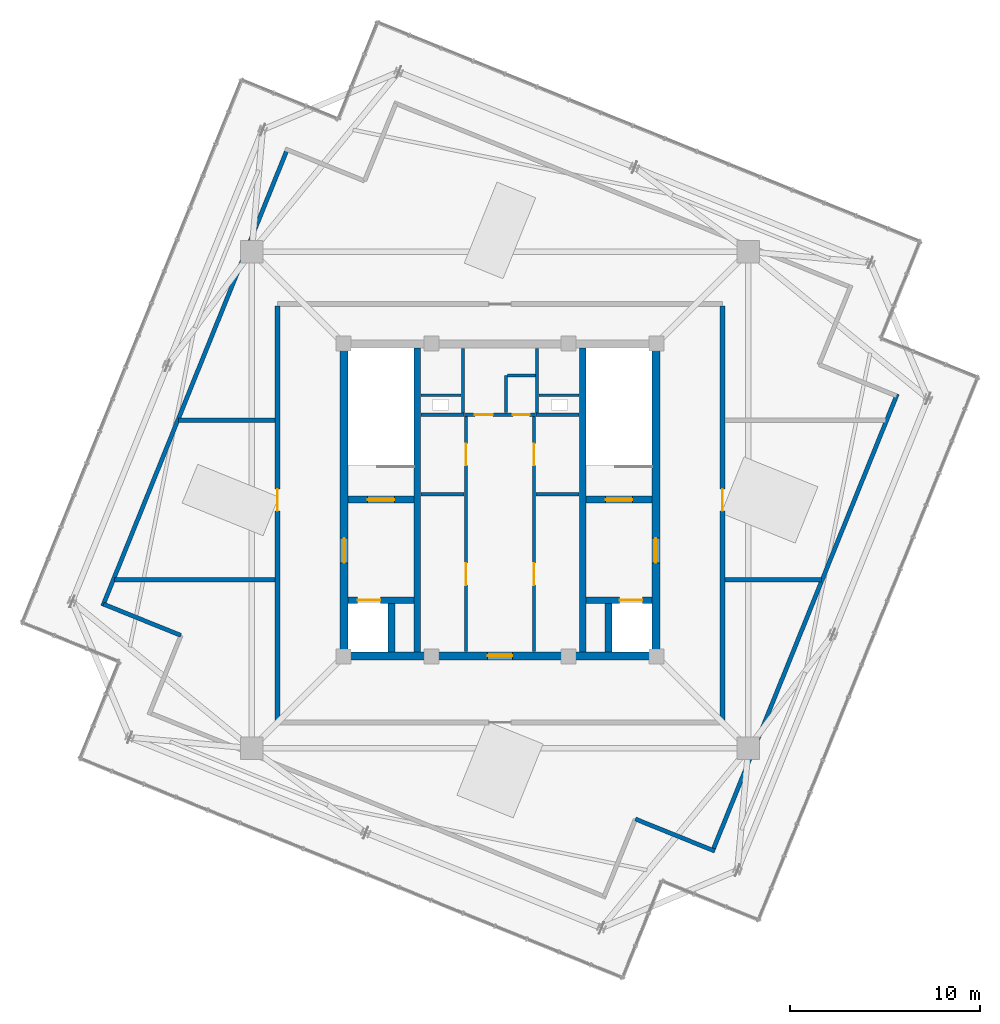
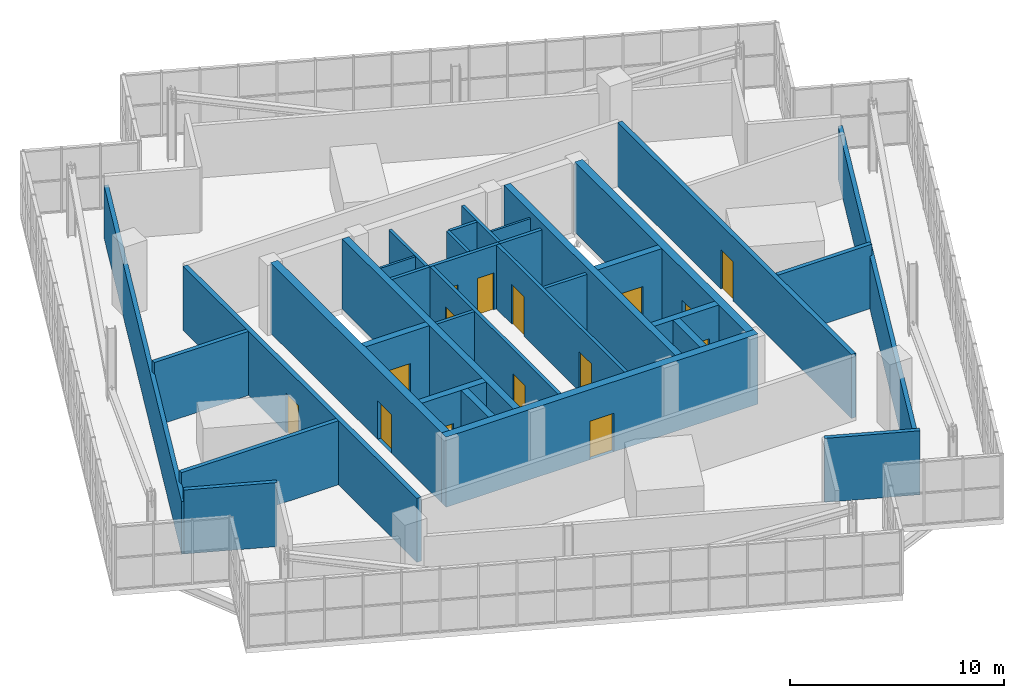
# One storey, part 23 of 26: 33 walls, 15 doors, 15 openings.
"""IFC4 building model written with IfcOpenShell, lengths in metres."""

from ifc_helpers import new_model, si_unit, direction, frame, frame_2d, origin, place, context, subcontext, project, spatial, rectangle, extrude, source, transform, mapped, material, layer, layer_set, type_object, element, fill, save


model = new_model("IFC4")

# Units and contexts
model_context = context("Model", 3, precision=1e-05, world=origin(), true_north=direction((0.0, 1.0)))
body_context = subcontext(model_context, "Body", "Model", "MODEL_VIEW")
ifc_project = project(units=[si_unit("LENGTHUNIT", "METRE"), si_unit("AREAUNIT", "SQUARE_METRE"), si_unit("VOLUMEUNIT", "CUBIC_METRE"), si_unit("PLANEANGLEUNIT", "RADIAN"), si_unit("MASSUNIT", "GRAM", prefix="KILO"), si_unit("THERMODYNAMICTEMPERATUREUNIT", "KELVIN")], contexts=[model_context])

# Site, building, storey
site_placement = place(None, origin())
site = spatial("IfcSite", under=ifc_project, at=site_placement, CompositionType="ELEMENT")
building_placement = place(site_placement, origin())
building = spatial("IfcBuilding", under=site, at=building_placement, Name="Kosmvard Interchange Tower", CompositionType="ELEMENT")
storey_placement = place(building_placement, frame((0.0, 0.0, 341.60009765625)))
storey = spatial("IfcBuildingStorey", under=building, at=storey_placement, Name="L84", CompositionType="ELEMENT", Elevation=341.60009765625)

# Walls
ifc_material_1 = material(Name="Fire-rated gypsum partition system")
ifc_layer_1 = layer(ifc_material_1, 0.159912109375, Name="Fire-rated gypsum partition system")
ifc_layer_set_1 = layer_set([ifc_layer_1], Name="Fire-rated gypsum partition system")
wall_type_1 = type_object("IfcWallType", Name="Core Compartment & Shuttle Lobby Partition 160", PredefinedType="PARTITIONING", material=ifc_layer_set_1)
for number, where, z_axis, x_axis, name in (
    (1, (-1.9599609375, 4.580078125, 0.0), (0.0, 0.0, 1.0), (0.0, 1.0, 0.0), "L84 North Core West Wall"),
    (2, (1.9599609375, 4.580078125, 0.0), (0.0, 0.0, 1.0), (0.0, 1.0, 0.0), "L84 North Core East Wall"),
):
    element("IfcWall", number, at=place(storey_placement, frame(where, z_axis=z_axis, x_axis=x_axis)), inside=storey, type_object=wall_type_1, Name=name, PredefinedType="PARTITIONING", context=body_context, shape_type="SweptSolid", body=[
        extrude(rectangle(XDim=3.39990234375, YDim=0.159912109375, at=frame_2d((1.699951171875, 0.0))), origin(), (0.0, 0.0, 1.0), 3.64990234375),
    ])
ifc_material_2 = material(Name="Concrete blockwork masonry", Category="masonry")
ifc_layer_2 = layer(ifc_material_2, 0.159912109375, Name="Concrete blockwork masonry")
ifc_layer_set_2 = layer_set([ifc_layer_2], Name="Concrete blockwork masonry")
wall_type_2 = type_object("IfcWallType", Name="Core Enclosure Split Wall 160", PredefinedType="PARTITIONING", material=ifc_layer_set_2)
wall_1_placement = place(storey_placement, frame((0.320068359375, 4.60009765625, 0.0), z_axis=(0.0, 0.0, 1.0), x_axis=(0.0, 1.0, 0.0)))
element("IfcWall", 3, at=wall_1_placement, inside=storey, type_object=wall_type_2, Name="L84 Core K3 L-Wall 1", PredefinedType="PARTITIONING", context=body_context, shape_type="SweptSolid", body=[
    extrude(rectangle(XDim=1.949951171875, YDim=0.159912109375, at=frame_2d((0.97509765625, 0.0))), origin(), (0.0, 0.0, 1.0), 3.64990234375),
])
wall_2_placement = place(storey_placement, frame((0.39990234375, 6.550048828125, 0.0), z_axis=(0.0, 0.0, 1.0), x_axis=(1.0, 0.0, 0.0)))
element("IfcWall", 4, at=wall_2_placement, inside=storey, type_object=wall_type_2, Name="L84 Core K3 L-Wall 2", PredefinedType="PARTITIONING", context=body_context, shape_type="SweptSolid", body=[
    extrude(rectangle(XDim=1.460205078125, YDim=0.159912109375, at=frame_2d((0.72998046875, 0.0))), origin(), (0.0, 0.0, 1.0), 3.64990234375),
])

# Wall, openings, doors
ifc_layer_3 = layer(ifc_material_1, 0.179931640625, Name="Fire-rated gypsum partition system")
ifc_layer_set_3 = layer_set([ifc_layer_3], Name="Fire-rated gypsum partition system")
wall_type_3 = type_object("IfcWallType", Name="Corridor & Hotel Compartment Partition 180", PredefinedType="PARTITIONING", material=ifc_layer_set_3)
wall_3_placement = place(storey_placement, frame((-1.7900390625, -7.97998046875, 0.0), z_axis=(0.0, 0.0, 1.0), x_axis=(0.0, 1.0, 0.0)))
wall_3 = element("IfcWall", 5, at=wall_3_placement, inside=storey, type_object=wall_type_3, Name="L84 West Lift Bank Front Wall", PredefinedType="PARTITIONING", context=body_context, shape_type="SweptSolid", body=[
    extrude(rectangle(XDim=12.3798828125, YDim=0.179931640625, at=frame_2d((6.18994140625, 0.0))), origin(), (0.0, 0.0, 1.0), 3.64990234375),
])
opening_1_placement = place(wall_3_placement, frame((3.5, 0.0, 0.0)))
opening_1 = element("IfcOpeningElement", 6, at=opening_1_placement, cuts=wall_3, Name="Opening L84-CD1", PredefinedType="OPENING", context=body_context, shape_type="SweptSolid", body=[
    extrude(rectangle(XDim=1.14990234375, YDim=2.25, at=frame_2d((0.574951171875, 1.125))), frame((0.0, 0.10009765625, 0.0), z_axis=(0.0, -1.0, 0.0), x_axis=(1.0, 0.0, 0.0)), (0.0, 0.0, 1.0), 0.199951171875),
])
opening_2_placement = place(wall_3_placement, frame((9.800048828125, 0.0, 0.0)))
opening_2 = element("IfcOpeningElement", 7, at=opening_2_placement, cuts=wall_3, Name="Opening L84-CD7", PredefinedType="OPENING", context=body_context, shape_type="SweptSolid", body=[
    extrude(rectangle(XDim=1.14990234375, YDim=2.25, at=frame_2d((0.574951171875, 1.125))), frame((0.0, 0.10009765625, 0.0), z_axis=(0.0, -1.0, 0.0), x_axis=(1.0, 0.0, 0.0)), (0.0, 0.0, 1.0), 0.199951171875),
])
ifc_material_3 = material(Name="Painted fire-rated steel leaf", Category="steel")
door_type_1 = type_object("IfcDoorType", Name="Plant & Riser Fire Door 1150x2250 EI60", OperationType="NOTDEFINED", PredefinedType="DOOR", material=ifc_material_3)
shared_shape_1 = source(origin(), body_context, "Body", "SweptSolid", [
    extrude(rectangle(XDim=1.14990234375, YDim=2.25, at=frame_2d((0.574951171875, 1.125))), frame((0.0, 0.02490234375, 0.0), z_axis=(0.0, -1.0, 0.0), x_axis=(1.0, 0.0, 0.0)), (0.0, 0.0, 1.0), 0.050048828125),
])
door_1_placement = place(opening_1_placement, origin())
door_1 = element("IfcDoor", 8, at=door_1_placement, inside=storey, type_object=door_type_1, Name="L84 Core Facility Store Door", OperationType="SINGLE_SWING_LEFT", OverallHeight=2.25, OverallWidth=1.14990234375, PredefinedType="DOOR", context=body_context, shape_type="MappedRepresentation", body=[
    mapped(shared_shape_1, transform((0.0, 0.0, 0.0), scale=1.0)),
])
fill(opening_1, door_1)
door_2_placement = place(opening_2_placement, origin())
door_2 = element("IfcDoor", 9, at=door_2_placement, inside=storey, type_object=door_type_1, Name="L84 Crown Core West Door", OperationType="SINGLE_SWING_LEFT", OverallHeight=2.25, OverallWidth=1.14990234375, PredefinedType="DOOR", context=body_context, shape_type="MappedRepresentation", body=[
    mapped(shared_shape_1, transform((0.0, 0.0, 0.0), scale=1.0)),
])
fill(opening_2, door_2)

wall_4_placement = place(storey_placement, frame((1.7900390625, -7.97998046875, 0.0), z_axis=(0.0, 0.0, 1.0), x_axis=(0.0, 1.0, 0.0)))
wall_4 = element("IfcWall", 10, at=wall_4_placement, inside=storey, type_object=wall_type_3, Name="L84 East Lift Bank Front Wall", PredefinedType="PARTITIONING", context=body_context, shape_type="SweptSolid", body=[
    extrude(rectangle(XDim=12.3798828125, YDim=0.179931640625, at=frame_2d((6.18994140625, 0.0))), origin(), (0.0, 0.0, 1.0), 3.64990234375),
])
opening_3_placement = place(wall_4_placement, frame((3.5, 0.0, 0.0)))
opening_3 = element("IfcOpeningElement", 11, at=opening_3_placement, cuts=wall_4, Name="Opening L84-CD2", PredefinedType="OPENING", context=body_context, shape_type="SweptSolid", body=[
    extrude(rectangle(XDim=1.14990234375, YDim=2.25, at=frame_2d((0.574951171875, 1.125))), frame((0.0, 0.10009765625, 0.0), z_axis=(0.0, -1.0, 0.0), x_axis=(1.0, 0.0, 0.0)), (0.0, 0.0, 1.0), 0.199951171875),
])
opening_4_placement = place(wall_4_placement, frame((9.800048828125, 0.0, 0.0)))
opening_4 = element("IfcOpeningElement", 12, at=opening_4_placement, cuts=wall_4, Name="Opening L84-CD8", PredefinedType="OPENING", context=body_context, shape_type="SweptSolid", body=[
    extrude(rectangle(XDim=1.14990234375, YDim=2.25, at=frame_2d((0.574951171875, 1.125))), frame((0.0, 0.10009765625, 0.0), z_axis=(0.0, -1.0, 0.0), x_axis=(1.0, 0.0, 0.0)), (0.0, 0.0, 1.0), 0.199951171875),
])
door_3_placement = place(opening_3_placement, frame((1.14990234375, 0.0, 0.0), z_axis=(0.0, 0.0, 1.0), x_axis=(-1.0, 0.0, 0.0)))
door_3 = element("IfcDoor", 13, at=door_3_placement, inside=storey, type_object=door_type_1, Name="L84 Core BMS UPS Door", OperationType="SINGLE_SWING_RIGHT", OverallHeight=2.25, OverallWidth=1.14990234375, PredefinedType="DOOR", context=body_context, shape_type="MappedRepresentation", body=[
    mapped(shared_shape_1, transform((0.0, 0.0, 0.0), scale=1.0)),
])
fill(opening_3, door_3)
door_4_placement = place(opening_4_placement, frame((1.14990234375, 0.0, 0.0), z_axis=(0.0, 0.0, 1.0), x_axis=(-1.0, 0.0, 0.0)))
door_4 = element("IfcDoor", 14, at=door_4_placement, inside=storey, type_object=door_type_1, Name="L84 Crown Core East Door", OperationType="SINGLE_SWING_RIGHT", OverallHeight=2.25, OverallWidth=1.14990234375, PredefinedType="DOOR", context=body_context, shape_type="MappedRepresentation", body=[
    mapped(shared_shape_1, transform((0.0, 0.0, 0.0), scale=1.0)),
])
fill(opening_4, door_4)

wall_5_placement = place(storey_placement, frame((-1.8798828125, 4.489990234375, 0.0), z_axis=(0.0, 0.0, 1.0), x_axis=(1.0, 0.0, 0.0)))
wall_5 = element("IfcWall", 15, at=wall_5_placement, inside=storey, type_object=wall_type_3, Name="L84 Lift Lobby North Partition", PredefinedType="PARTITIONING", context=body_context, shape_type="SweptSolid", body=[
    extrude(rectangle(XDim=3.759765625, YDim=0.179931640625, at=frame_2d((1.8798828125, 0.0))), origin(), (0.0, 0.0, 1.0), 3.64990234375),
])
opening_5_placement = place(wall_5_placement, frame((0.550048828125, 0.0, 0.0)))
opening_5 = element("IfcOpeningElement", 16, at=opening_5_placement, cuts=wall_5, Name="Opening L84-KD1", PredefinedType="OPENING", context=body_context, shape_type="SweptSolid", body=[
    extrude(rectangle(XDim=0.949951171875, YDim=2.10009765625, at=frame_2d((0.47509765625, 1.050048828125))), frame((0.0, 0.10009765625, 0.0), z_axis=(0.0, -1.0, 0.0), x_axis=(1.0, 0.0, 0.0)), (0.0, 0.0, 1.0), 0.199951171875),
])
opening_6_placement = place(wall_5_placement, frame((2.56005859375, 0.0, 0.0)))
opening_6 = element("IfcOpeningElement", 17, at=opening_6_placement, cuts=wall_5, Name="Opening L84-KD2", PredefinedType="OPENING", context=body_context, shape_type="SweptSolid", body=[
    extrude(rectangle(XDim=0.8798828125, YDim=2.10009765625, at=frame_2d((0.43994140625, 1.050048828125))), frame((0.0, 0.10009765625, 0.0), z_axis=(0.0, -1.0, 0.0), x_axis=(1.0, 0.0, 0.0)), (0.0, 0.0, 1.0), 0.199951171875),
])
ifc_material_4 = material(Name="Painted fire-rated timber leaf", Category="wood")
door_type_2 = type_object("IfcDoorType", Name="Core Service Fire Door 950x2100 EI30", OperationType="NOTDEFINED", PredefinedType="DOOR", material=ifc_material_4)
shared_shape_2 = source(origin(), body_context, "Body", "SweptSolid", [
    extrude(rectangle(XDim=0.949951171875, YDim=2.10009765625, at=frame_2d((0.47509765625, 1.050048828125))), frame((0.0, 0.02490234375, 0.0), z_axis=(0.0, -1.0, 0.0), x_axis=(1.0, 0.0, 0.0)), (0.0, 0.0, 1.0), 0.050048828125),
])
door_5_placement = place(opening_5_placement, origin())
door_5 = element("IfcDoor", 18, at=door_5_placement, inside=storey, type_object=door_type_2, Name="L84 Core Archive Store Door", OperationType="SINGLE_SWING_LEFT", OverallHeight=2.10009765625, OverallWidth=0.949951171875, PredefinedType="DOOR", context=body_context, shape_type="MappedRepresentation", body=[
    mapped(shared_shape_2, transform((0.0, 0.0, 0.0), scale=1.0)),
])
fill(opening_5, door_5)
door_type_3 = type_object("IfcDoorType", Name="Core Cupboard Fire Door 880x2100 EI30", OperationType="NOTDEFINED", PredefinedType="DOOR", material=ifc_material_4)
shared_shape_3 = source(origin(), body_context, "Body", "SweptSolid", [
    extrude(rectangle(XDim=0.8798828125, YDim=2.10009765625, at=frame_2d((0.43994140625, 1.050048828125))), frame((0.0, 0.02490234375, 0.0), z_axis=(0.0, -1.0, 0.0), x_axis=(1.0, 0.0, 0.0)), (0.0, 0.0, 1.0), 0.050048828125),
])
door_6_placement = place(opening_6_placement, origin())
door_6 = element("IfcDoor", 19, at=door_6_placement, inside=storey, type_object=door_type_3, Name="L84 Core Supplies Cupboard Door", OperationType="SINGLE_SWING_RIGHT", OverallHeight=2.10009765625, OverallWidth=0.8798828125, PredefinedType="DOOR", context=body_context, shape_type="MappedRepresentation", body=[
    mapped(shared_shape_3, transform((0.0, 0.0, 0.0), scale=1.0)),
])
fill(opening_6, door_6)

# Wall, opening, door
ifc_material_5 = material(Name="Concrete C50/60", Category="concrete")
ifc_layer_4 = layer(ifc_material_5, 0.419921875, Name="Concrete C50/60")
ifc_layer_set_4 = layer_set([ifc_layer_4], Name="Concrete C50/60")
wall_type_4 = type_object("IfcWallType", Name="Crown Core Shear Wall 420 C50/60", PredefinedType="SHEAR", material=ifc_layer_set_4)
wall_6_placement = place(storey_placement, frame((-8.419921875, -8.2099609375, 0.0), z_axis=(0.0, 0.0, 1.0), x_axis=(1.0, 0.0, 0.0)))
wall_6 = element("IfcWall", 20, at=wall_6_placement, inside=storey, type_object=wall_type_4, Name="L84 Core Shear Wall CW-S", PredefinedType="SHEAR", context=body_context, shape_type="SweptSolid", body=[
    extrude(rectangle(XDim=16.83984375, YDim=0.419921875, at=frame_2d((8.419921875, 0.0))), origin(), (0.0, 0.0, 1.0), 4.0),
])
opening_7_placement = place(wall_6_placement, frame((7.77001953125, 0.0, 0.0)))
opening_7 = element("IfcOpeningElement", 21, at=opening_7_placement, cuts=wall_6, Name="Opening L84-LD0", PredefinedType="OPENING", context=body_context, shape_type="SweptSolid", body=[
    extrude(rectangle(XDim=1.300048828125, YDim=2.199951171875, at=frame_2d((0.64990234375, 1.10009765625))), frame((0.0, 0.219970703125, 0.0), z_axis=(0.0, -1.0, 0.0), x_axis=(1.0, 0.0, 0.0)), (0.0, 0.0, 1.0), 0.43994140625),
])
door_type_4 = type_object("IfcDoorType", Name="Firefighting Lobby Door 1300x2200 EI60", OperationType="NOTDEFINED", PredefinedType="DOOR", material=ifc_material_3)
shared_shape_4 = source(origin(), body_context, "Body", "SweptSolid", [
    extrude(rectangle(XDim=1.300048828125, YDim=2.199951171875, at=frame_2d((0.64990234375, 1.10009765625))), frame((0.0, 0.02490234375, 0.0), z_axis=(0.0, -1.0, 0.0), x_axis=(1.0, 0.0, 0.0)), (0.0, 0.0, 1.0), 0.050048828125),
])
door_7_placement = place(opening_7_placement, frame((1.300048828125, 0.0, 0.0), z_axis=(0.0, 0.0, 1.0), x_axis=(-1.0, 0.0, 0.0)))
door_7 = element("IfcDoor", 22, at=door_7_placement, inside=storey, type_object=door_type_4, Name="L84 Passenger Lift Lobby South Door", OperationType="SINGLE_SWING_RIGHT", OverallHeight=2.199951171875, OverallWidth=1.300048828125, PredefinedType="DOOR", context=body_context, shape_type="MappedRepresentation", body=[
    mapped(shared_shape_4, transform((0.0, 0.0, 0.0), scale=1.0)),
])
fill(opening_7, door_7)

wall_7_placement = place(storey_placement, frame((-8.2099609375, -8.0, 0.0), z_axis=(0.0, 0.0, 1.0), x_axis=(0.0, 1.0, 0.0)))
wall_7 = element("IfcWall", 23, at=wall_7_placement, inside=storey, type_object=wall_type_4, Name="L84 Core Shear Wall CW-W", PredefinedType="SHEAR", context=body_context, shape_type="SweptSolid", body=[
    extrude(rectangle(XDim=16.0, YDim=0.419921875, at=frame_2d((8.0, 0.0))), origin(), (0.0, 0.0, 1.0), 4.0),
])
opening_8_placement = place(wall_7_placement, frame((4.68994140625, 0.0, 0.0)))
opening_8 = element("IfcOpeningElement", 24, at=opening_8_placement, cuts=wall_7, Name="Opening L84-FD1", PredefinedType="OPENING", context=body_context, shape_type="SweptSolid", body=[
    extrude(rectangle(XDim=1.300048828125, YDim=2.199951171875, at=frame_2d((0.64990234375, 1.10009765625))), frame((0.0, 0.219970703125, 0.0), z_axis=(0.0, -1.0, 0.0), x_axis=(1.0, 0.0, 0.0)), (0.0, 0.0, 1.0), 0.43994140625),
])
door_8_placement = place(opening_8_placement, frame((1.300048828125, 0.0, 0.0), z_axis=(0.0, 0.0, 1.0), x_axis=(-1.0, 0.0, 0.0)))
door_8 = element("IfcDoor", 25, at=door_8_placement, inside=storey, type_object=door_type_4, Name="L84 Firefighting Lobby West Door", OperationType="SINGLE_SWING_LEFT", OverallHeight=2.199951171875, OverallWidth=1.300048828125, PredefinedType="DOOR", context=body_context, shape_type="MappedRepresentation", body=[
    mapped(shared_shape_4, transform((0.0, 0.0, 0.0), scale=1.0)),
])
fill(opening_8, door_8)

wall_8_placement = place(storey_placement, frame((8.2099609375, -8.0, 0.0), z_axis=(0.0, 0.0, 1.0), x_axis=(0.0, 1.0, 0.0)))
wall_8 = element("IfcWall", 26, at=wall_8_placement, inside=storey, type_object=wall_type_4, Name="L84 Core Shear Wall CW-E", PredefinedType="SHEAR", context=body_context, shape_type="SweptSolid", body=[
    extrude(rectangle(XDim=16.0, YDim=0.419921875, at=frame_2d((8.0, 0.0))), origin(), (0.0, 0.0, 1.0), 4.0),
])
opening_9_placement = place(wall_8_placement, frame((4.68994140625, 0.0, 0.0)))
opening_9 = element("IfcOpeningElement", 27, at=opening_9_placement, cuts=wall_8, Name="Opening L84-FD2", PredefinedType="OPENING", context=body_context, shape_type="SweptSolid", body=[
    extrude(rectangle(XDim=1.300048828125, YDim=2.199951171875, at=frame_2d((0.64990234375, 1.10009765625))), frame((0.0, 0.219970703125, 0.0), z_axis=(0.0, -1.0, 0.0), x_axis=(1.0, 0.0, 0.0)), (0.0, 0.0, 1.0), 0.43994140625),
])
door_9_placement = place(opening_9_placement, origin())
door_9 = element("IfcDoor", 28, at=door_9_placement, inside=storey, type_object=door_type_4, Name="L84 Firefighting Lobby East Door", OperationType="SINGLE_SWING_RIGHT", OverallHeight=2.199951171875, OverallWidth=1.300048828125, PredefinedType="DOOR", context=body_context, shape_type="MappedRepresentation", body=[
    mapped(shared_shape_4, transform((0.0, 0.0, 0.0), scale=1.0)),
])
fill(opening_9, door_9)

ifc_layer_5 = layer(ifc_material_2, 0.25, Name="Concrete blockwork masonry")
ifc_layer_set_5 = layer_set([ifc_layer_5], Name="Concrete blockwork masonry")
wall_type_5 = type_object("IfcWallType", Name="Exit Passage & Firefighting Lobby Wall 250", PredefinedType="PARTITIONING", material=ifc_layer_set_5)
wall_9_placement = place(storey_placement, frame((-11.719970703125, -11.6201171875, 0.0), z_axis=(0.0, 0.0, 1.0), x_axis=(0.0, 1.0, 0.0)))
wall_9 = element("IfcWall", 29, at=wall_9_placement, inside=storey, type_object=wall_type_5, Name="L84 Corridor Wall CW", PredefinedType="PARTITIONING", context=body_context, shape_type="SweptSolid", body=[
    extrude(rectangle(XDim=21.840087890625, YDim=0.25, at=frame_2d((10.919921875, 0.0))), origin(), (0.0, 0.0, 1.0), 3.64990234375),
])
opening_10_placement = place(wall_9_placement, frame((11.044921875, 0.0, 0.0)))
opening_10 = element("IfcOpeningElement", 30, at=opening_10_placement, cuts=wall_9, Name="Opening L84-D04", PredefinedType="OPENING", context=body_context, shape_type="SweptSolid", body=[
    extrude(rectangle(XDim=1.14990234375, YDim=2.25, at=frame_2d((0.574951171875, 1.125))), frame((0.0, 0.135009765625, 0.0), z_axis=(0.0, -1.0, 0.0), x_axis=(1.0, 0.0, 0.0)), (0.0, 0.0, 1.0), 0.27001953125),
])
door_10_placement = place(opening_10_placement, origin())
door_10 = element("IfcDoor", 31, at=door_10_placement, inside=storey, type_object=door_type_1, Name="L84 Aviation Beacon Telemetry Plant Room Door", OperationType="SINGLE_SWING_RIGHT", OverallHeight=2.25, OverallWidth=1.14990234375, PredefinedType="DOOR", context=body_context, shape_type="MappedRepresentation", body=[
    mapped(shared_shape_1, transform((0.0, 0.0, 0.0), scale=1.0)),
])
fill(opening_10, door_10)

wall_10_placement = place(storey_placement, frame((11.719970703125, -11.6201171875, 0.0), z_axis=(0.0, 0.0, 1.0), x_axis=(0.0, 1.0, 0.0)))
wall_10 = element("IfcWall", 32, at=wall_10_placement, inside=storey, type_object=wall_type_5, Name="L84 Corridor Wall CE", PredefinedType="PARTITIONING", context=body_context, shape_type="SweptSolid", body=[
    extrude(rectangle(XDim=21.840087890625, YDim=0.25, at=frame_2d((10.919921875, 0.0))), origin(), (0.0, 0.0, 1.0), 3.64990234375),
])
opening_11_placement = place(wall_10_placement, frame((11.044921875, 0.0, 0.0)))
opening_11 = element("IfcOpeningElement", 33, at=opening_11_placement, cuts=wall_10, Name="Opening L84-D02", PredefinedType="OPENING", context=body_context, shape_type="SweptSolid", body=[
    extrude(rectangle(XDim=1.14990234375, YDim=2.25, at=frame_2d((0.574951171875, 1.125))), frame((0.0, 0.135009765625, 0.0), z_axis=(0.0, -1.0, 0.0), x_axis=(1.0, 0.0, 0.0)), (0.0, 0.0, 1.0), 0.27001953125),
])
door_11_placement = place(opening_11_placement, frame((1.14990234375, 0.0, 0.0), z_axis=(0.0, 0.0, 1.0), x_axis=(-1.0, 0.0, 0.0)))
door_11 = element("IfcDoor", 34, at=door_11_placement, inside=storey, type_object=door_type_1, Name="L84 Roof Pressurisation Pump Plant Room Door", OperationType="SINGLE_SWING_RIGHT", OverallHeight=2.25, OverallWidth=1.14990234375, PredefinedType="DOOR", context=body_context, shape_type="MappedRepresentation", body=[
    mapped(shared_shape_1, transform((0.0, 0.0, 0.0), scale=1.0)),
])
fill(opening_11, door_11)

# Walls
ifc_layer_6 = layer(ifc_material_2, 0.179931640625, Name="Concrete blockwork masonry")
ifc_layer_set_6 = layer_set([ifc_layer_6], Name="Concrete blockwork masonry")
wall_type_6 = type_object("IfcWallType", Name="Riser & Lift Bank Divider Wall 180", PredefinedType="PARTITIONING", material=ifc_layer_set_6)
for number, where, z_axis, x_axis, name in (
    (35, (-4.169921875, 0.300048828125, 0.0), (0.0, 0.0, 1.0), (1.0, 0.0, 0.0), "L84 West Bank Divider BD2"),
    (36, (1.889892578125, 0.300048828125, 0.0), (0.0, 0.0, 1.0), (1.0, 0.0, 0.0), "L84 East Bank Divider BD2"),
    (37, (-4.169921875, 4.489990234375, 0.0), (0.0, 0.0, 1.0), (1.0, 0.0, 0.0), "L84 West Bank Divider BD3"),
    (38, (1.889892578125, 4.489990234375, 0.0), (0.0, 0.0, 1.0), (1.0, 0.0, 0.0), "L84 East Bank Divider BD3"),
):
    element("IfcWall", number, at=place(storey_placement, frame(where, z_axis=z_axis, x_axis=x_axis)), inside=storey, type_object=wall_type_6, Name=name, PredefinedType="PARTITIONING", context=body_context, shape_type="SweptSolid", body=[
        extrude(rectangle(XDim=2.280029296875, YDim=0.179931640625, at=frame_2d((1.14013671875, 0.0))), origin(), (0.0, 0.0, 1.0), 3.64990234375),
    ])
ifc_layer_7 = layer(ifc_material_2, 0.219970703125, Name="Concrete blockwork masonry")
ifc_layer_set_7 = layer_set([ifc_layer_7], Name="Concrete blockwork masonry")
wall_type_7 = type_object("IfcWallType", Name="Riser & Plant Enclosure Wall 220", PredefinedType="PARTITIONING", material=ifc_layer_set_7)
for number, where, z_axis, x_axis, name in (
    (39, (11.172119140625, -18.556396484375, 0.0), (0.0, 0.0, 1.0), (0.374611707018, 0.927181788521, 0.0), "L84 Crown Plant Enclosure Wall S"),
    (40, (-11.172119140625, 18.556396484375, 0.0), (0.0, 0.0, 1.0), (-0.374611707018, -0.927181788521, 0.0), "L84 Crown Plant Enclosure Wall N"),
):
    element("IfcWall", number, at=place(storey_placement, frame(where, z_axis=z_axis, x_axis=x_axis)), inside=storey, type_object=wall_type_7, Name=name, PredefinedType="PARTITIONING", context=body_context, shape_type="SweptSolid", body=[
        extrude(rectangle(XDim=26.0400390625, YDim=0.219970703125, at=frame_2d((13.02001953125, 0.0))), origin(), (0.0, 0.0, 1.0), 3.0),
    ])
wall_11_placement = place(storey_placement, frame((-20.8857421875, -5.485595703125, 0.0), z_axis=(0.0, 0.0, 1.0), x_axis=(0.927189216671, -0.374593321469, 0.0)))
element("IfcWall", 41, at=wall_11_placement, inside=storey, type_object=wall_type_7, Name="L84 Crown Plant Enclosure Wall NW1", PredefinedType="PARTITIONING", context=body_context, shape_type="SweptSolid", body=[
    extrude(rectangle(XDim=4.39990234375, YDim=0.219970703125, at=frame_2d((2.199951171875, 0.0))), origin(), (0.0, 0.0, 1.0), 3.64990234375),
])
wall_12_placement = place(storey_placement, frame((7.1337890625, -16.80615234375, 0.0), z_axis=(0.0, 0.0, 1.0), x_axis=(0.927186885331, -0.374599091925, 0.0)))
element("IfcWall", 42, at=wall_12_placement, inside=storey, type_object=wall_type_7, Name="L84 Crown Plant Enclosure Wall SW2", PredefinedType="PARTITIONING", context=body_context, shape_type="SweptSolid", body=[
    extrude(rectangle(XDim=4.510009765625, YDim=0.219970703125, at=frame_2d((2.2548828125, 0.0))), origin(), (0.0, 0.0, 1.0), 3.64990234375),
])
for number, where, z_axis, x_axis, name in (
    (43, (-11.85009765625, 4.199951171875, 0.0), (0.0, 0.0, 1.0), (-1.0, 0.0, 0.0), "L84 Room Partition 02.1"),
    (44, (11.85009765625, -4.199951171875, 0.0), (0.0, 0.0, 1.0), (1.0, 0.0, 0.0), "L84 Room Partition 03.1"),
):
    element("IfcWall", number, at=place(storey_placement, frame(where, z_axis=z_axis, x_axis=x_axis)), inside=storey, type_object=wall_type_7, Name=name, PredefinedType="PARTITIONING", context=body_context, shape_type="SweptSolid", body=[
        extrude(rectangle(XDim=5.073974609375, YDim=0.219970703125, at=frame_2d((2.537109375, 0.0))), origin(), (0.0, 0.0, 1.0), 3.64990234375),
    ])
wall_13_placement = place(storey_placement, frame((-11.85009765625, -4.199951171875, 0.0), z_axis=(0.0, 0.0, 1.0), x_axis=(-1.0, 0.0, 0.0)))
element("IfcWall", 45, at=wall_13_placement, inside=storey, type_object=wall_type_7, Name="L84 Room Partition 04.1", PredefinedType="PARTITIONING", context=body_context, shape_type="SweptSolid", body=[
    extrude(rectangle(XDim=8.4677734375, YDim=0.219970703125, at=frame_2d((4.23388671875, 0.0))), origin(), (0.0, 0.0, 1.0), 3.64990234375),
])
ifc_material_6 = material(Name="Fire-rated gypsum shaftwall system")
ifc_layer_8 = layer(ifc_material_6, 0.1201171875, Name="Fire-rated gypsum shaftwall system")
ifc_layer_set_8 = layer_set([ifc_layer_8], Name="Fire-rated gypsum shaftwall system")
wall_type_8 = type_object("IfcWallType", Name="Shaft & Riser Fire Partition 120 EI60", PredefinedType="PARTITIONING", material=ifc_layer_set_8)
for number, where, z_axis, x_axis, name in (
    (46, (-4.159912109375, 5.52001953125, 0.0), (0.0, 0.0, 1.0), (1.0, 0.0, 0.0), "L84 Riser Shaft Divider W"),
    (47, (2.06005859375, 5.52001953125, 0.0), (0.0, 0.0, 1.0), (1.0, 0.0, 0.0), "L84 Riser Shaft Divider E"),
):
    element("IfcWall", number, at=place(storey_placement, frame(where, z_axis=z_axis, x_axis=x_axis)), inside=storey, type_object=wall_type_8, Name=name, PredefinedType="PARTITIONING", context=body_context, shape_type="SweptSolid", body=[
        extrude(rectangle(XDim=2.099853515625, YDim=0.1201171875, at=frame_2d((1.0498046875, 0.0))), origin(), (0.0, 0.0, 1.0), 3.64990234375),
    ])
ifc_material_7 = material(Name="Concrete C60/75", Category="concrete")
ifc_layer_9 = layer(ifc_material_7, 0.360107421875, Name="Concrete C60/75")
ifc_layer_set_9 = layer_set([ifc_layer_9], Name="Concrete C60/75")
wall_type_9 = type_object("IfcWallType", Name="Stair & Lift Shaft Shear Wall 360 C60/75", PredefinedType="SHEAR", material=ifc_layer_set_9)
for number, where, z_axis, x_axis, name in (
    (48, (-4.360107421875, -8.0, 0.0), (0.0, 0.0, 1.0), (0.0, 1.0, 0.0), "L84 Shaft Shear Wall SW-W"),
    (49, (4.360107421875, -8.0, 0.0), (0.0, 0.0, 1.0), (0.0, 1.0, 0.0), "L84 Shaft Shear Wall SW-E"),
):
    element("IfcWall", number, at=place(storey_placement, frame(where, z_axis=z_axis, x_axis=x_axis)), inside=storey, type_object=wall_type_9, Name=name, PredefinedType="SHEAR", context=body_context, shape_type="SweptSolid", body=[
        extrude(rectangle(XDim=16.0, YDim=0.360107421875, at=frame_2d((8.0, 0.0))), origin(), (0.0, 0.0, 1.0), 4.0),
    ])

# Wall, opening, door
wall_14_placement = place(storey_placement, frame((-8.0, 0.02001953125, 0.0), z_axis=(0.0, 0.0, 1.0), x_axis=(1.0, 0.0, 0.0)))
wall_14 = element("IfcWall", 50, at=wall_14_placement, inside=storey, type_object=wall_type_9, Name="L84 Shaft Shear Wall SW-ST1", PredefinedType="SHEAR", context=body_context, shape_type="SweptSolid", body=[
    extrude(rectangle(XDim=3.4599609375, YDim=0.360107421875, at=frame_2d((1.72998046875, 0.0))), origin(), (0.0, 0.0, 1.0), 4.0),
])
opening_12_placement = place(wall_14_placement, frame((1.030029296875, 0.0, 0.0)))
opening_12 = element("IfcOpeningElement", 51, at=opening_12_placement, cuts=wall_14, Name="Opening L84-SD1", PredefinedType="OPENING", context=body_context, shape_type="SweptSolid", body=[
    extrude(rectangle(XDim=1.39990234375, YDim=2.199951171875, at=frame_2d((0.699951171875, 1.10009765625))), frame((0.0, 0.18994140625, 0.0), z_axis=(0.0, -1.0, 0.0), x_axis=(1.0, 0.0, 0.0)), (0.0, 0.0, 1.0), 0.380126953125),
])
door_type_5 = type_object("IfcDoorType", Name="Protected Stair Door 1400x2200 FD60S", OperationType="NOTDEFINED", PredefinedType="DOOR", material=ifc_material_3)
shared_shape_5 = source(origin(), body_context, "Body", "SweptSolid", [
    extrude(rectangle(XDim=1.39990234375, YDim=2.199951171875, at=frame_2d((0.699951171875, 1.10009765625))), frame((0.0, 0.02490234375, 0.0), z_axis=(0.0, -1.0, 0.0), x_axis=(1.0, 0.0, 0.0)), (0.0, 0.0, 1.0), 0.050048828125),
])
door_12_placement = place(opening_12_placement, origin())
door_12 = element("IfcDoor", 52, at=door_12_placement, inside=storey, type_object=door_type_5, Name="L84 Stair ST-1 Enclosure Door", OperationType="SINGLE_SWING_LEFT", OverallHeight=2.199951171875, OverallWidth=1.39990234375, PredefinedType="DOOR", context=body_context, shape_type="MappedRepresentation", body=[
    mapped(shared_shape_5, transform((0.0, 0.0, 0.0), scale=1.0)),
])
fill(opening_12, door_12)

wall_15_placement = place(storey_placement, frame((4.5400390625, 0.02001953125, 0.0), z_axis=(0.0, 0.0, 1.0), x_axis=(1.0, 0.0, 0.0)))
wall_15 = element("IfcWall", 53, at=wall_15_placement, inside=storey, type_object=wall_type_9, Name="L84 Shaft Shear Wall SW-ST2", PredefinedType="SHEAR", context=body_context, shape_type="SweptSolid", body=[
    extrude(rectangle(XDim=3.4599609375, YDim=0.360107421875, at=frame_2d((1.72998046875, 0.0))), origin(), (0.0, 0.0, 1.0), 4.0),
])
opening_13_placement = place(wall_15_placement, frame((1.030029296875, 0.0, 0.0)))
opening_13 = element("IfcOpeningElement", 54, at=opening_13_placement, cuts=wall_15, Name="Opening L84-SD2", PredefinedType="OPENING", context=body_context, shape_type="SweptSolid", body=[
    extrude(rectangle(XDim=1.39990234375, YDim=2.199951171875, at=frame_2d((0.699951171875, 1.10009765625))), frame((0.0, 0.18994140625, 0.0), z_axis=(0.0, -1.0, 0.0), x_axis=(1.0, 0.0, 0.0)), (0.0, 0.0, 1.0), 0.380126953125),
])
door_13_placement = place(opening_13_placement, origin())
door_13 = element("IfcDoor", 55, at=door_13_placement, inside=storey, type_object=door_type_5, Name="L84 Stair ST-2 Enclosure Door", OperationType="SINGLE_SWING_RIGHT", OverallHeight=2.199951171875, OverallWidth=1.39990234375, PredefinedType="DOOR", context=body_context, shape_type="MappedRepresentation", body=[
    mapped(shared_shape_5, transform((0.0, 0.0, 0.0), scale=1.0)),
])
fill(opening_13, door_13)

wall_16_placement = place(storey_placement, frame((-8.0, -5.280029296875, 0.0), z_axis=(0.0, 0.0, 1.0), x_axis=(1.0, 0.0, 0.0)))
wall_16 = element("IfcWall", 56, at=wall_16_placement, inside=storey, type_object=wall_type_9, Name="L84 Shaft Shear Wall SW-FF1", PredefinedType="SHEAR", context=body_context, shape_type="SweptSolid", body=[
    extrude(rectangle(XDim=3.4599609375, YDim=0.360107421875, at=frame_2d((1.72998046875, 0.0))), origin(), (0.0, 0.0, 1.0), 4.0),
])
opening_14_placement = place(wall_16_placement, frame((0.5, 0.0, 0.0)))
opening_14 = element("IfcOpeningElement", 57, at=opening_14_placement, cuts=wall_16, Name="Opening LD-FF-1-L84", PredefinedType="OPENING", context=body_context, shape_type="SweptSolid", body=[
    extrude(rectangle(XDim=1.199951171875, YDim=2.25, at=frame_2d((0.60009765625, 1.125))), frame((0.0, 0.18994140625, 0.0), z_axis=(0.0, -1.0, 0.0), x_axis=(1.0, 0.0, 0.0)), (0.0, 0.0, 1.0), 0.380126953125),
])
ifc_material_8 = material(Name="Brushed stainless steel sliding leaf", Category="steel")
door_type_6 = type_object("IfcDoorType", Name="Firefighting Lift Sliding Landing Door 1200x2250 EI120", OperationType="DOUBLE_DOOR_SLIDING", PredefinedType="DOOR", material=ifc_material_8)
shared_shape_6 = source(origin(), body_context, "Body", "SweptSolid", [
    extrude(rectangle(XDim=1.199951171875, YDim=2.25, at=frame_2d((0.60009765625, 1.125))), frame((0.0, 0.02490234375, 0.0), z_axis=(0.0, -1.0, 0.0), x_axis=(1.0, 0.0, 0.0)), (0.0, 0.0, 1.0), 0.050048828125),
])
door_14_placement = place(opening_14_placement, origin())
door_14 = element("IfcDoor", 58, at=door_14_placement, inside=storey, type_object=door_type_6, Name="Lift FF-1 Landing Door L84", OperationType="DOUBLE_DOOR_SLIDING", OverallHeight=2.25, OverallWidth=1.199951171875, PredefinedType="DOOR", context=body_context, shape_type="MappedRepresentation", body=[
    mapped(shared_shape_6, transform((0.0, 0.0, 0.0), scale=1.0)),
])
fill(opening_14, door_14)

wall_17_placement = place(storey_placement, frame((4.5400390625, -5.280029296875, 0.0), z_axis=(0.0, 0.0, 1.0), x_axis=(1.0, 0.0, 0.0)))
wall_17 = element("IfcWall", 59, at=wall_17_placement, inside=storey, type_object=wall_type_9, Name="L84 Shaft Shear Wall SW-FF2", PredefinedType="SHEAR", context=body_context, shape_type="SweptSolid", body=[
    extrude(rectangle(XDim=3.4599609375, YDim=0.360107421875, at=frame_2d((1.72998046875, 0.0))), origin(), (0.0, 0.0, 1.0), 4.0),
])
opening_15_placement = place(wall_17_placement, frame((1.760009765625, 0.0, 0.0)))
opening_15 = element("IfcOpeningElement", 60, at=opening_15_placement, cuts=wall_17, Name="Opening LD-FF-2-L84", PredefinedType="OPENING", context=body_context, shape_type="SweptSolid", body=[
    extrude(rectangle(XDim=1.199951171875, YDim=2.25, at=frame_2d((0.60009765625, 1.125))), frame((0.0, 0.18994140625, 0.0), z_axis=(0.0, -1.0, 0.0), x_axis=(1.0, 0.0, 0.0)), (0.0, 0.0, 1.0), 0.380126953125),
])
door_15_placement = place(opening_15_placement, origin())
door_15 = element("IfcDoor", 61, at=door_15_placement, inside=storey, type_object=door_type_6, Name="Lift FF-2 Landing Door L84", OperationType="DOUBLE_DOOR_SLIDING", OverallHeight=2.25, OverallWidth=1.199951171875, PredefinedType="DOOR", context=body_context, shape_type="MappedRepresentation", body=[
    mapped(shared_shape_6, transform((0.0, 0.0, 0.0), scale=1.0)),
])
fill(opening_15, door_15)

# Walls
for number, where, z_axis, x_axis, name in (
    (62, (-5.7099609375, -8.0, 0.0), (0.0, 0.0, 1.0), (0.0, 1.0, 0.0), "L84 Shaft Shear Wall SW-SM1"),
    (63, (5.7099609375, -8.0, 0.0), (0.0, 0.0, 1.0), (0.0, 1.0, 0.0), "L84 Shaft Shear Wall SW-SM2"),
):
    element("IfcWall", number, at=place(storey_placement, frame(where, z_axis=z_axis, x_axis=x_axis)), inside=storey, type_object=wall_type_9, Name=name, PredefinedType="SHEAR", context=body_context, shape_type="SweptSolid", body=[
        extrude(rectangle(XDim=2.5400390625, YDim=0.360107421875, at=frame_2d((1.27001953125, 0.0))), origin(), (0.0, 0.0, 1.0), 4.0),
    ])

save(model, "model.ifc")
